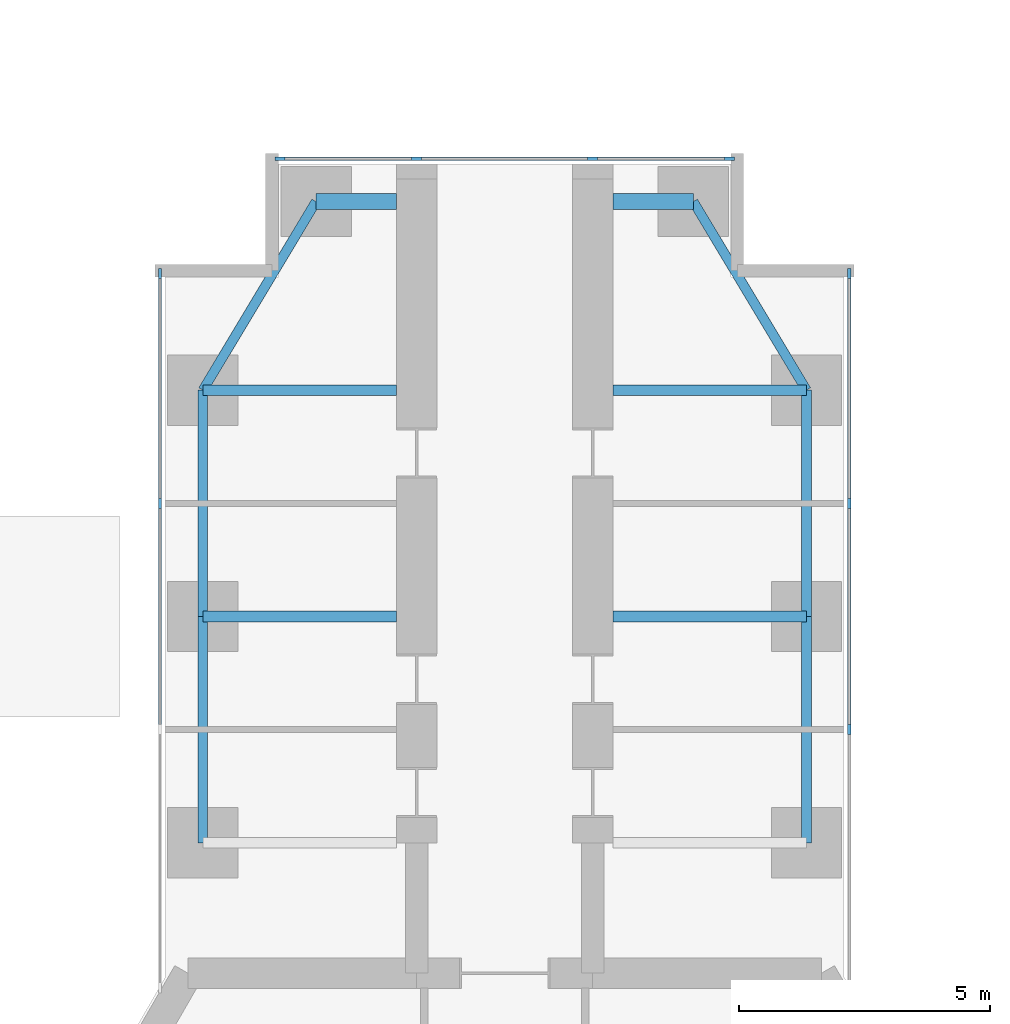
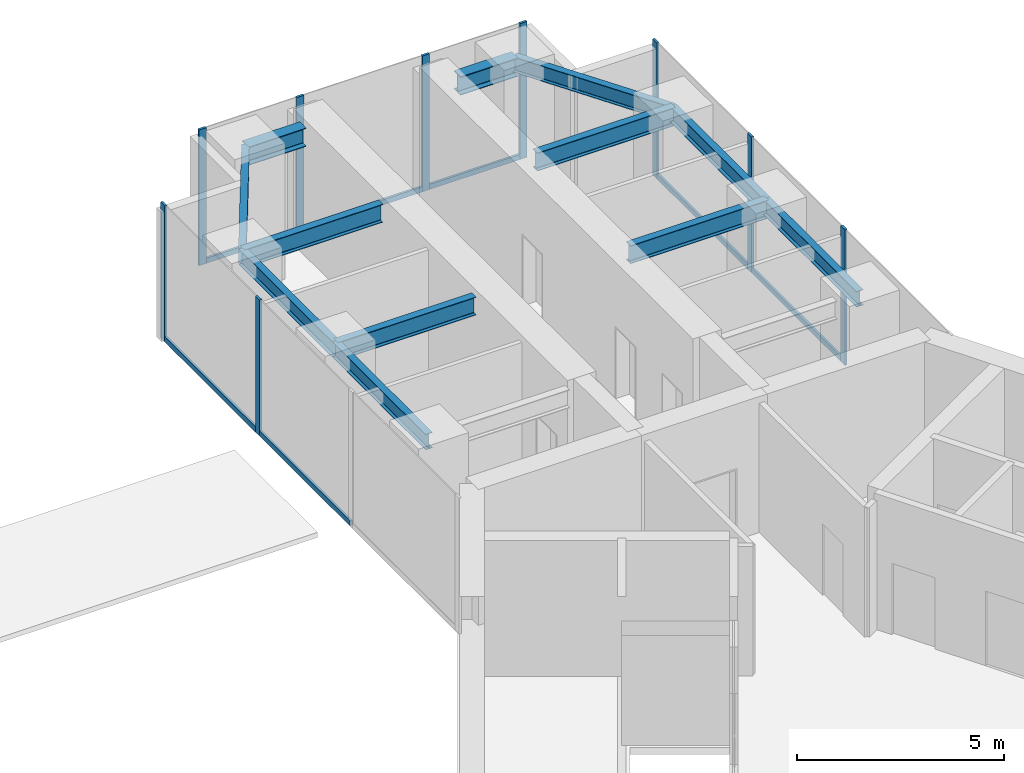
# One storey, part 12 of 22: 16 members, 12 beams, 3 elements without a shape of their own.
"""IFC4 building model written with IfcOpenShell, lengths in metres."""

from ifc_helpers import new_model, si_unit, direction, frame, origin, origin_2d, place, context, subcontext, project, spatial, rectangle, i_section, extrude, material, material_profile, profile_set, type_object, element, aggregate, save


model = new_model("IFC4")

# Units and contexts
model_context = context("Model", 3, precision=1e-05, world=origin(), true_north=direction((0.0, 1.0)))
body_context = subcontext(model_context, "Body", "Model", "MODEL_VIEW")
ifc_project = project(units=[si_unit("LENGTHUNIT", "METRE"), si_unit("AREAUNIT", "SQUARE_METRE"), si_unit("VOLUMEUNIT", "CUBIC_METRE"), si_unit("PLANEANGLEUNIT", "RADIAN"), si_unit("MASSUNIT", "GRAM", prefix="KILO")], contexts=[model_context])

# Site, building, storey
site_placement = place(None, origin())
site = spatial("IfcSite", under=ifc_project, at=site_placement, CompositionType="ELEMENT")
building_placement = place(site_placement, origin())
building = spatial("IfcBuilding", under=site, at=building_placement, Name="Upepo Twin Towers", CompositionType="ELEMENT")
storey_placement = place(building_placement, frame((0.0, 0.0, 97.5)))
storey = spatial("IfcBuildingStorey", under=building, at=storey_placement, Name="L23", CompositionType="ELEMENT", Elevation=97.5)

# Beams
ifc_material_1 = material(Name="Steel S355", Category="steel")
ifc_material_profile_1 = material_profile(ifc_material_1, i_section(OverallWidth=0.1904296875, OverallDepth=0.45703125, WebThickness=0.009033203125, FlangeThickness=0.014404296875, FilletRadius=0.01025390625, at=origin_2d()), Name="UB 457x191x74")
ifc_profile_set_1 = profile_set([ifc_material_profile_1], Name="Steel S355")
beam_type_1 = type_object("IfcBeamType", Name="Beam UB 457x191x74", PredefinedType="BEAM", material=ifc_profile_set_1)
for number, where, z_axis, x_axis, name in (
    (1, (52.5, -4.5, 3.571533203125), (0.0, 1.0, 0.0), (-1.0, 0.0, 0.0), "T2 edge beam AL 13.5-18.0"),
    (2, (52.5, 0.0, 3.571533203125), (0.0, 1.0, 0.0), (-1.0, 0.0, 0.0), "T2 edge beam AL 18.0-22.5"),
):
    element("IfcBeam", number, at=place(storey_placement, frame(where, z_axis=z_axis, x_axis=x_axis)), inside=storey, type_object=beam_type_1, Name=name, PredefinedType="BEAM", context=body_context, shape_type="SweptSolid", body=[
        extrude(i_section(OverallWidth=0.1904296875, OverallDepth=0.45703125, WebThickness=0.009033203125, FlangeThickness=0.014404296875, FilletRadius=0.01025390625, at=origin_2d()), origin(), (0.0, 0.0, 1.0), 4.5),
    ])
beam_1_placement = place(storey_placement, frame((52.5, 4.5, 3.571533203125), z_axis=(0.514495755428, 0.857492925713, 0.0), x_axis=(-0.857492925713, 0.514495755428, 0.0)))
element("IfcBeam", 3, at=beam_1_placement, inside=storey, type_object=beam_type_1, Name="T2 nose edge beam AL", PredefinedType="BEAM", context=body_context, shape_type="SweptSolid", body=[
    extrude(i_section(OverallWidth=0.1904296875, OverallDepth=0.45703125, WebThickness=0.009033203125, FlangeThickness=0.014404296875, FilletRadius=0.01025390625, at=origin_2d()), origin(), (0.0, 0.0, 1.0), 4.373291015625),
])
for number, where, z_axis, x_axis, name in (
    (4, (64.5, -4.5, 3.571533203125), (0.0, 1.0, 0.0), (-1.0, 0.0, 0.0), "T2 edge beam AR 13.5-18.0"),
    (5, (64.5, 0.0, 3.571533203125), (0.0, 1.0, 0.0), (-1.0, 0.0, 0.0), "T2 edge beam AR 18.0-22.5"),
):
    element("IfcBeam", number, at=place(storey_placement, frame(where, z_axis=z_axis, x_axis=x_axis)), inside=storey, type_object=beam_type_1, Name=name, PredefinedType="BEAM", context=body_context, shape_type="SweptSolid", body=[
        extrude(i_section(OverallWidth=0.1904296875, OverallDepth=0.45703125, WebThickness=0.009033203125, FlangeThickness=0.014404296875, FilletRadius=0.01025390625, at=origin_2d()), origin(), (0.0, 0.0, 1.0), 4.5),
    ])
beam_2_placement = place(storey_placement, frame((64.5, 4.5, 3.571533203125), z_axis=(-0.514495755428, 0.857492925713, 0.0), x_axis=(-0.857492925713, -0.514495755428, 0.0)))
element("IfcBeam", 6, at=beam_2_placement, inside=storey, type_object=beam_type_1, Name="T2 nose edge beam AR", PredefinedType="BEAM", context=body_context, shape_type="SweptSolid", body=[
    extrude(i_section(OverallWidth=0.1904296875, OverallDepth=0.45703125, WebThickness=0.009033203125, FlangeThickness=0.014404296875, FilletRadius=0.01025390625, at=origin_2d()), origin(), (0.0, 0.0, 1.0), 4.373291015625),
])
ifc_material_2 = material(Name="Steel S355", Category="steel")
ifc_material_profile_2 = material_profile(ifc_material_2, i_section(OverallWidth=0.209228515625, OverallDepth=0.533203125, WebThickness=0.010009765625, FlangeThickness=0.015625, FilletRadius=0.0126953125, at=origin_2d()), Name="UB 533x210x92")
ifc_profile_set_2 = profile_set([ifc_material_profile_2], Name="Steel S355")
beam_type_2 = type_object("IfcBeamType", Name="Beam UB 533x210x92", PredefinedType="BEAM", material=ifc_profile_set_2)
for number, where, z_axis, x_axis, name in (
    (7, (52.5, 0.0, 3.533447265625), (1.0, 0.0, 0.0), (0.0, 1.0, 0.0), "T2 girder AL at 18.0"),
    (8, (52.5, 4.5, 3.533447265625), (1.0, 0.0, 0.0), (0.0, 1.0, 0.0), "T2 girder AL at 22.5"),
    (9, (64.5, 0.0, 3.533447265625), (-1.0, 0.0, 0.0), (0.0, -1.0, 0.0), "T2 girder AR at 18.0"),
    (10, (64.5, 4.5, 3.533447265625), (-1.0, 0.0, 0.0), (0.0, -1.0, 0.0), "T2 girder AR at 22.5"),
):
    element("IfcBeam", number, at=place(storey_placement, frame(where, z_axis=z_axis, x_axis=x_axis)), inside=storey, type_object=beam_type_2, Name=name, PredefinedType="BEAM", context=body_context, shape_type="SweptSolid", body=[
        extrude(i_section(OverallWidth=0.209228515625, OverallDepth=0.533203125, WebThickness=0.010009765625, FlangeThickness=0.015625, FilletRadius=0.0126953125, at=origin_2d()), origin(), (0.0, 0.0, 1.0), 3.85009765625),
    ])
ifc_material_3 = material(Name="Steel S355", Category="steel")
ifc_material_profile_3 = material_profile(ifc_material_3, i_section(OverallWidth=0.31201171875, OverallDepth=0.54345703125, WebThickness=0.0126953125, FlangeThickness=0.020263671875, FilletRadius=0.0126953125, at=origin_2d()), Name="UB 533x312x150")
ifc_profile_set_3 = profile_set([ifc_material_profile_3], Name="Steel S355")
beam_type_3 = type_object("IfcBeamType", Name="Beam UB 533x312x150", PredefinedType="BEAM", material=ifc_profile_set_3)
for number, where, z_axis, x_axis, name in (
    (11, (54.75, 8.25, 3.5283203125), (1.0, 0.0, 0.0), (0.0, 1.0, 0.0), "T2 nose beam AL"),
    (12, (62.25, 8.25, 3.5283203125), (-1.0, 0.0, 0.0), (0.0, -1.0, 0.0), "T2 nose beam AR"),
):
    element("IfcBeam", number, at=place(storey_placement, frame(where, z_axis=z_axis, x_axis=x_axis)), inside=storey, type_object=beam_type_3, Name=name, PredefinedType="BEAM", context=body_context, shape_type="SweptSolid", body=[
        extrude(i_section(OverallWidth=0.31201171875, OverallDepth=0.54345703125, WebThickness=0.0126953125, FlangeThickness=0.020263671875, FilletRadius=0.0126953125, at=origin_2d()), origin(), (0.0, 0.0, 1.0), 1.60009765625),
    ])

# Curtain wall, members
ifc_material_4 = material(Name="Aluminium and fritted glass", Category="aluminium")
curtain_wall_type = type_object("IfcCurtainWallType", Name="Tower curtain wall TW2, fritted glass", PredefinedType="NOTDEFINED", material=ifc_material_4)
curtain_wall_1_placement = place(storey_placement, origin())
curtain_wall_1 = element("IfcCurtainWall", 13, at=curtain_wall_1_placement, inside=storey, type_object=curtain_wall_type, Name="T2 L23 wing A flank L curtain wall", PredefinedType="NOTDEFINED")
ifc_material_5 = material(Name="Aluminium mullion", Category="aluminium")
ifc_material_profile_4 = material_profile(ifc_material_5, rectangle(XDim=0.06494140625, YDim=0.199951171875, at=origin_2d()), Name="MULLION 65x200")
ifc_profile_set_4 = profile_set([ifc_material_profile_4], Name="Aluminium mullion")
member_type_1 = type_object("IfcMemberType", Name="Mullion 65x200 TW2", PredefinedType="MULLION", material=ifc_profile_set_4)
member_1_placement = place(storey_placement, frame((51.64990234375, 2.25, 0.0), z_axis=(0.0, 0.0, 1.0), x_axis=(-1.0, 0.0, 0.0)))
member_1 = element("IfcMember", 14, at=member_1_placement, type_object=member_type_1, Name="T2 L23 wing A flank L curtain wall mullion 3", PredefinedType="MULLION", context=body_context, shape_type="SweptSolid", body=[
    extrude(rectangle(XDim=0.06494140625, YDim=0.199951171875, at=origin_2d()), origin(), (0.0, 0.0, 1.0), 4.0),
])
member_2_placement = place(storey_placement, frame((51.64990234375, 6.8173828125, 0.0), z_axis=(0.0, 0.0, 1.0), x_axis=(-1.0, 0.0, 0.0)))
member_2 = element("IfcMember", 15, at=member_2_placement, type_object=member_type_1, Name="T2 L23 wing A flank L curtain wall mullion 4", PredefinedType="MULLION", context=body_context, shape_type="SweptSolid", body=[
    extrude(rectangle(XDim=0.06494140625, YDim=0.199951171875, at=origin_2d()), origin(), (0.0, 0.0, 1.0), 4.0),
])

curtain_wall_2_placement = place(storey_placement, origin())
curtain_wall_2 = element("IfcCurtainWall", 16, at=curtain_wall_2_placement, inside=storey, type_object=curtain_wall_type, Name="T2 L23 wing A flank R curtain wall", PredefinedType="NOTDEFINED")
member_3_placement = place(storey_placement, frame((65.35009765625, 6.8173828125, 0.0), z_axis=(0.0, 0.0, 1.0), x_axis=(1.0, 0.0, 0.0)))
member_3 = element("IfcMember", 17, at=member_3_placement, type_object=member_type_1, Name="T2 L23 wing A flank R curtain wall mullion 1", PredefinedType="MULLION", context=body_context, shape_type="SweptSolid", body=[
    extrude(rectangle(XDim=0.06494140625, YDim=0.199951171875, at=origin_2d()), origin(), (0.0, 0.0, 1.0), 4.0),
])
member_4_placement = place(storey_placement, frame((65.35009765625, 2.25, 0.0), z_axis=(0.0, 0.0, 1.0), x_axis=(1.0, 0.0, 0.0)))
member_4 = element("IfcMember", 18, at=member_4_placement, type_object=member_type_1, Name="T2 L23 wing A flank R curtain wall mullion 2", PredefinedType="MULLION", context=body_context, shape_type="SweptSolid", body=[
    extrude(rectangle(XDim=0.06494140625, YDim=0.199951171875, at=origin_2d()), origin(), (0.0, 0.0, 1.0), 4.0),
])
member_5_placement = place(storey_placement, frame((65.35009765625, -2.25, 0.0), z_axis=(0.0, 0.0, 1.0), x_axis=(1.0, 0.0, 0.0)))
member_5 = element("IfcMember", 19, at=member_5_placement, type_object=member_type_1, Name="T2 L23 wing A flank R curtain wall mullion 3", PredefinedType="MULLION", context=body_context, shape_type="SweptSolid", body=[
    extrude(rectangle(XDim=0.06494140625, YDim=0.199951171875, at=origin_2d()), origin(), (0.0, 0.0, 1.0), 4.0),
])

curtain_wall_3_placement = place(storey_placement, origin())
curtain_wall_3 = element("IfcCurtainWall", 20, at=curtain_wall_3_placement, inside=storey, type_object=curtain_wall_type, Name="T2 L23 wing A nose curtain wall", PredefinedType="NOTDEFINED")
member_6_placement = place(storey_placement, frame((62.967529296875, 9.10009765625, 0.0), z_axis=(0.0, 0.0, 1.0), x_axis=(0.0, -1.0, 0.0)))
member_6 = element("IfcMember", 21, at=member_6_placement, type_object=member_type_1, Name="T2 L23 wing A nose curtain wall mullion 1", PredefinedType="MULLION", context=body_context, shape_type="SweptSolid", body=[
    extrude(rectangle(XDim=0.06494140625, YDim=0.199951171875, at=origin_2d()), origin(), (0.0, 0.0, 1.0), 4.0),
])
member_7_placement = place(storey_placement, frame((60.25, 9.10009765625, 0.0), z_axis=(0.0, 0.0, 1.0), x_axis=(0.0, -1.0, 0.0)))
member_7 = element("IfcMember", 22, at=member_7_placement, type_object=member_type_1, Name="T2 L23 wing A nose curtain wall mullion 2", PredefinedType="MULLION", context=body_context, shape_type="SweptSolid", body=[
    extrude(rectangle(XDim=0.06494140625, YDim=0.199951171875, at=origin_2d()), origin(), (0.0, 0.0, 1.0), 4.0),
])
member_8_placement = place(storey_placement, frame((56.75, 9.10009765625, 0.0), z_axis=(0.0, 0.0, 1.0), x_axis=(0.0, -1.0, 0.0)))
member_8 = element("IfcMember", 23, at=member_8_placement, type_object=member_type_1, Name="T2 L23 wing A nose curtain wall mullion 3", PredefinedType="MULLION", context=body_context, shape_type="SweptSolid", body=[
    extrude(rectangle(XDim=0.06494140625, YDim=0.199951171875, at=origin_2d()), origin(), (0.0, 0.0, 1.0), 4.0),
])
member_9_placement = place(storey_placement, frame((54.032470703125, 9.10009765625, 0.0), z_axis=(0.0, 0.0, 1.0), x_axis=(0.0, -1.0, 0.0)))
member_9 = element("IfcMember", 24, at=member_9_placement, type_object=member_type_1, Name="T2 L23 wing A nose curtain wall mullion 4", PredefinedType="MULLION", context=body_context, shape_type="SweptSolid", body=[
    extrude(rectangle(XDim=0.06494140625, YDim=0.199951171875, at=origin_2d()), origin(), (0.0, 0.0, 1.0), 4.0),
])

# Member
ifc_material_6 = material(Name="Aluminium transom", Category="aluminium")
ifc_material_profile_5 = material_profile(ifc_material_6, rectangle(XDim=0.06494140625, YDim=0.14990234375, at=origin_2d()), Name="TRANSOM 65x150")
ifc_profile_set_5 = profile_set([ifc_material_profile_5], Name="Aluminium transom")
member_type_2 = type_object("IfcMemberType", Name="Transom 65x150 TW2", PredefinedType="USERDEFINED", material=ifc_profile_set_5)
member_10_placement = place(storey_placement, frame((51.64990234375, -2.217529296875, 0.074951171875), z_axis=(0.0, 1.0, 0.0), x_axis=(-1.0, 0.0, 0.0)))
member_10 = element("IfcMember", 25, at=member_10_placement, type_object=member_type_2, Name="T2 L23 wing A flank L curtain wall transom 2", ObjectType="TRANSOM", PredefinedType="USERDEFINED", context=body_context, shape_type="SweptSolid", body=[
    extrude(rectangle(XDim=0.06494140625, YDim=0.14990234375, at=origin_2d()), origin(), (0.0, 0.0, 1.0), 4.43505859375),
])

member_11_placement = place(storey_placement, frame((51.64990234375, 2.282470703125, 0.074951171875), z_axis=(0.0, 1.0, 0.0), x_axis=(-1.0, 0.0, 0.0)))
member_11 = element("IfcMember", 26, at=member_11_placement, type_object=member_type_2, Name="T2 L23 wing A flank L curtain wall transom 3", ObjectType="TRANSOM", PredefinedType="USERDEFINED", context=body_context, shape_type="SweptSolid", body=[
    extrude(rectangle(XDim=0.06494140625, YDim=0.14990234375, at=origin_2d()), origin(), (0.0, 0.0, 1.0), 4.50244140625),
])

aggregate(curtain_wall_1, [member_1, member_2, member_10, member_11])

member_12_placement = place(storey_placement, frame((65.35009765625, 6.784912109375, 0.074951171875), z_axis=(0.0, -1.0, 0.0), x_axis=(1.0, 0.0, 0.0)))
member_12 = element("IfcMember", 27, at=member_12_placement, type_object=member_type_2, Name="T2 L23 wing A flank R curtain wall transom 1", ObjectType="TRANSOM", PredefinedType="USERDEFINED", context=body_context, shape_type="SweptSolid", body=[
    extrude(rectangle(XDim=0.06494140625, YDim=0.14990234375, at=origin_2d()), origin(), (0.0, 0.0, 1.0), 4.50244140625),
])

member_13_placement = place(storey_placement, frame((65.35009765625, 2.217529296875, 0.074951171875), z_axis=(0.0, -1.0, 0.0), x_axis=(1.0, 0.0, 0.0)))
member_13 = element("IfcMember", 28, at=member_13_placement, type_object=member_type_2, Name="T2 L23 wing A flank R curtain wall transom 2", ObjectType="TRANSOM", PredefinedType="USERDEFINED", context=body_context, shape_type="SweptSolid", body=[
    extrude(rectangle(XDim=0.06494140625, YDim=0.14990234375, at=origin_2d()), origin(), (0.0, 0.0, 1.0), 4.43505859375),
])

aggregate(curtain_wall_2, [member_3, member_4, member_5, member_12, member_13])

member_14_placement = place(storey_placement, frame((62.93505859375, 9.10009765625, 0.074951171875), z_axis=(-1.0, 0.0, 0.0), x_axis=(0.0, -1.0, 0.0)))
member_14 = element("IfcMember", 29, at=member_14_placement, type_object=member_type_2, Name="T2 L23 wing A nose curtain wall transom 1", ObjectType="TRANSOM", PredefinedType="USERDEFINED", context=body_context, shape_type="SweptSolid", body=[
    extrude(rectangle(XDim=0.06494140625, YDim=0.14990234375, at=origin_2d()), origin(), (0.0, 0.0, 1.0), 2.652587890625),
])

member_15_placement = place(storey_placement, frame((60.217529296875, 9.10009765625, 0.074951171875), z_axis=(-1.0, 0.0, 0.0), x_axis=(0.0, -1.0, 0.0)))
member_15 = element("IfcMember", 30, at=member_15_placement, type_object=member_type_2, Name="T2 L23 wing A nose curtain wall transom 2", ObjectType="TRANSOM", PredefinedType="USERDEFINED", context=body_context, shape_type="SweptSolid", body=[
    extrude(rectangle(XDim=0.06494140625, YDim=0.14990234375, at=origin_2d()), origin(), (0.0, 0.0, 1.0), 3.43505859375),
])

member_16_placement = place(storey_placement, frame((56.717529296875, 9.10009765625, 0.074951171875), z_axis=(-1.0, 0.0, 0.0), x_axis=(0.0, -1.0, 0.0)))
member_16 = element("IfcMember", 31, at=member_16_placement, type_object=member_type_2, Name="T2 L23 wing A nose curtain wall transom 3", ObjectType="TRANSOM", PredefinedType="USERDEFINED", context=body_context, shape_type="SweptSolid", body=[
    extrude(rectangle(XDim=0.06494140625, YDim=0.14990234375, at=origin_2d()), origin(), (0.0, 0.0, 1.0), 2.652587890625),
])

aggregate(curtain_wall_3, [member_6, member_7, member_8, member_9, member_14, member_15, member_16])

save(model, "model.ifc")
